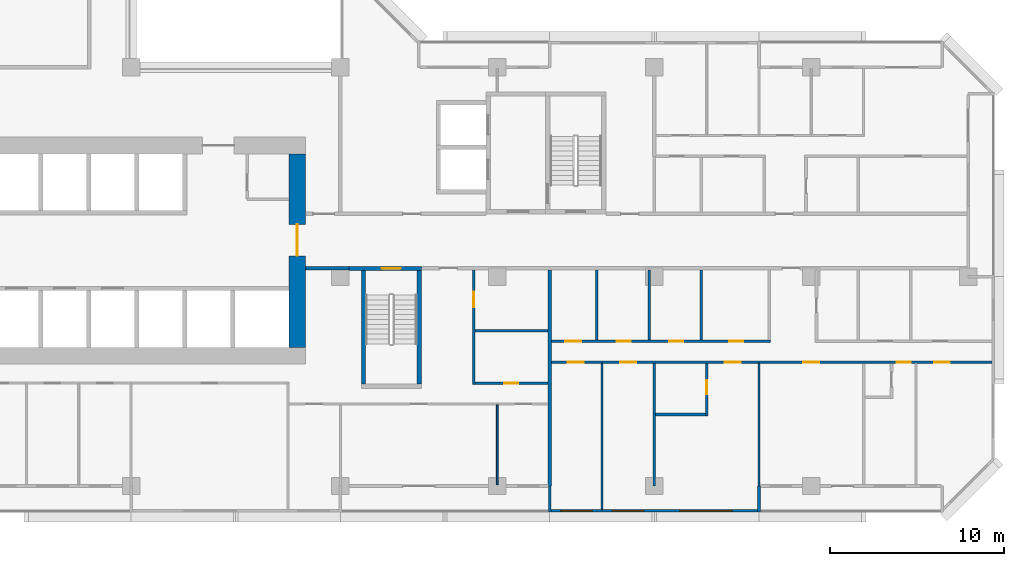
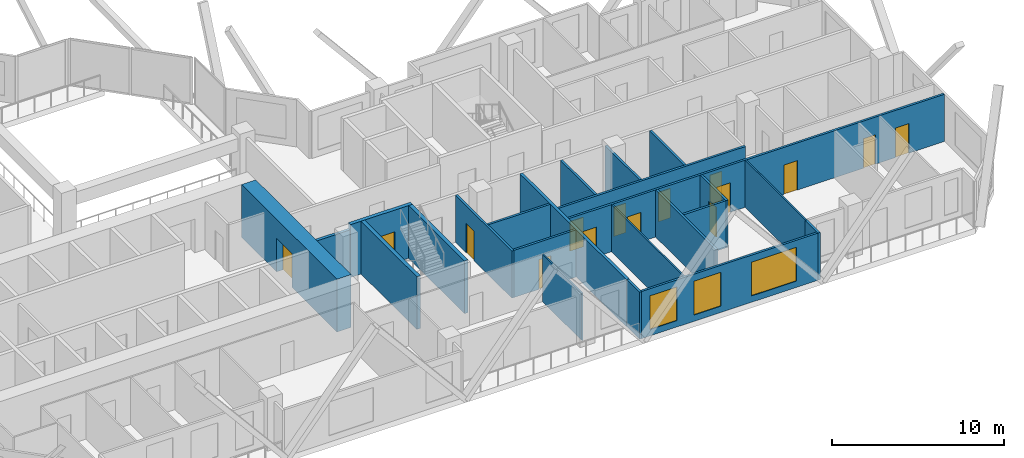
# One storey, part 6 of 15: 23 walls, 15 doors, 3 windows, 18 openings.
"""IFC4 building model written with IfcOpenShell, lengths in metres."""

from ifc_helpers import new_model, si_unit, direction, frame, frame_2d, origin, place, context, subcontext, project, spatial, rectangle, extrude, material, layer, layer_set, type_object, element, fill, save


model = new_model("IFC4")

# Units and contexts
model_context = context("Model", 3, precision=1e-05, world=origin(), true_north=direction((0.0, 1.0)))
body_context = subcontext(model_context, "Body", "Model", "MODEL_VIEW")
ifc_project = project(units=[si_unit("LENGTHUNIT", "METRE"), si_unit("AREAUNIT", "SQUARE_METRE"), si_unit("VOLUMEUNIT", "CUBIC_METRE"), si_unit("PLANEANGLEUNIT", "RADIAN"), si_unit("MASSUNIT", "GRAM", prefix="KILO")], contexts=[model_context])

# Site, building, storey
site_placement = place(None, origin())
site = spatial("IfcSite", under=ifc_project, at=site_placement, CompositionType="ELEMENT")
building_placement = place(site_placement, origin())
building = spatial("IfcBuilding", under=site, at=building_placement, Name="Chenar Terraces", CompositionType="ELEMENT")
storey_placement = place(building_placement, frame((0.0, 0.0, 114.39990234375)))
storey = spatial("IfcBuildingStorey", under=building, at=storey_placement, Name="L26", CompositionType="ELEMENT", Elevation=114.39990234375)

# Wall, opening, door
ifc_material_1 = material(Name="Concrete C70/85", Category="concrete")
ifc_layer_1 = layer(ifc_material_1, 0.25)
ifc_layer_set_1 = layer_set([ifc_layer_1], Name="Concrete C70/85")
wall_type_1 = type_object("IfcWallType", Name="Core wall 250 Concrete C70/85", PredefinedType="SHEAR", material=ifc_layer_set_1)
wall_1_placement = place(storey_placement, frame((36.5, 12.47509765625, 0.0), z_axis=(0.0, 0.0, 1.0), x_axis=(1.0, 0.0, 0.0)))
wall_1 = element("IfcWall", 1, at=wall_1_placement, inside=storey, type_object=wall_type_1, Name="Core wall ST2_N L26", PredefinedType="SHEAR", context=body_context, shape_type="SweptSolid", body=[
    extrude(rectangle(XDim=4.14990234375, YDim=0.25, at=frame_2d((2.074951171875, 0.0))), origin(), (0.0, 0.0, 1.0), 3.75),
])
opening_1_placement = place(wall_1_placement, frame((1.875, 0.0, 0.0)))
opening_1 = element("IfcOpeningElement", 2, at=opening_1_placement, cuts=wall_1, Name="Opening DL26-C7", PredefinedType="OPENING", context=body_context, shape_type="SweptSolid", body=[
    extrude(rectangle(XDim=1.10009765625, YDim=2.199951171875, at=frame_2d((0.550048828125, 1.10009765625))), frame((0.0, 0.135009765625, 0.0), z_axis=(0.0, -1.0, 0.0), x_axis=(1.0, 0.0, 0.0)), (0.0, 0.0, 1.0), 0.27001953125),
])
ifc_material_2 = material(Name="Steel-framed fire-resisting door leaf", Category="steel")
door_type_1 = type_object("IfcDoorType", Name="Stair fire door FD60 1100 x 2200", OperationType="SINGLE_SWING_LEFT", PredefinedType="DOOR", material=ifc_material_2)
door_1_placement = place(opening_1_placement, frame((1.10009765625, 0.0, 0.0), z_axis=(0.0, 0.0, 1.0), x_axis=(-1.0, 0.0, 0.0)))
door_1 = element("IfcDoor", 3, at=door_1_placement, inside=storey, type_object=door_type_1, Name="Stair door DL26-C7", OperationType="SINGLE_SWING_RIGHT", OverallHeight=2.199951171875, OverallWidth=1.10009765625, PredefinedType="DOOR", context=body_context, shape_type="SweptSolid", body=[
    extrude(rectangle(XDim=1.10009765625, YDim=2.199951171875, at=frame_2d((0.550048828125, 1.10009765625))), frame((0.0, 0.02490234375, 0.0), z_axis=(0.0, -1.0, 0.0), x_axis=(1.0, 0.0, 0.0)), (0.0, 0.0, 1.0), 0.050048828125),
])
fill(opening_1, door_1)

# Walls
for number, where, z_axis, x_axis, name in (
    (4, (37.324951171875, 5.85009765625, 0.0), (0.0, 0.0, 1.0), (0.0, 1.0, 0.0), "Core wall ST2_W L26"),
    (5, (40.52490234375, 5.85009765625, 0.0), (0.0, 0.0, 1.0), (0.0, 1.0, 0.0), "Core wall ST2_E L26"),
):
    element("IfcWall", number, at=place(storey_placement, frame(where, z_axis=z_axis, x_axis=x_axis)), inside=storey, type_object=wall_type_1, Name=name, PredefinedType="SHEAR", context=body_context, shape_type="SweptSolid", body=[
        extrude(rectangle(XDim=6.5, YDim=0.25, at=frame_2d((3.25, 0.0))), origin(), (0.0, 0.0, 1.0), 3.75),
    ])

# Wall, opening, door
ifc_material_3 = material(Name="Concrete C70/85", Category="concrete")
ifc_layer_2 = layer(ifc_material_3, 0.949951171875)
ifc_layer_set_2 = layer_set([ifc_layer_2], Name="Concrete C70/85")
wall_type_2 = type_object("IfcWallType", Name="Core wall 950 Concrete C70/85", PredefinedType="SHEAR", material=ifc_layer_set_2)
wall_2_placement = place(storey_placement, frame((33.52490234375, 7.949951171875, 0.0), z_axis=(0.0, 0.0, 1.0), x_axis=(0.0, 1.0, 0.0)))
wall_2 = element("IfcWall", 6, at=wall_2_placement, inside=storey, type_object=wall_type_2, Name="Core wall E L26", PredefinedType="SHEAR", context=body_context, shape_type="SweptSolid", body=[
    extrude(rectangle(XDim=11.10009765625, YDim=0.949951171875, at=frame_2d((5.550048828125, 0.0))), origin(), (0.0, 0.0, 1.0), 3.75),
])
opening_2_placement = place(wall_2_placement, frame((5.25, 0.0, 0.0)))
opening_2 = element("IfcOpeningElement", 7, at=opening_2_placement, cuts=wall_2, Name="Opening DL26-C1", PredefinedType="OPENING", context=body_context, shape_type="SweptSolid", body=[
    extrude(rectangle(XDim=1.800048828125, YDim=2.39990234375, at=frame_2d((0.89990234375, 1.199951171875))), frame((0.0, 0.48486328125, 0.0), z_axis=(0.0, -1.0, 0.0), x_axis=(1.0, 0.0, 0.0)), (0.0, 0.0, 1.0), 0.969970703125),
])
ifc_material_4 = material(Name="Steel-framed fire-resisting door leaf", Category="steel")
door_type_2 = type_object("IfcDoorType", Name="Core entrance double fire door FD60 1800 x 2400", OperationType="DOUBLE_DOOR_SINGLE_SWING", PredefinedType="DOOR", material=ifc_material_4)
door_2_placement = place(opening_2_placement, origin())
door_2 = element("IfcDoor", 8, at=door_2_placement, inside=storey, type_object=door_type_2, Name="Core door DL26-C1", OperationType="DOUBLE_DOOR_SINGLE_SWING", OverallHeight=2.39990234375, OverallWidth=1.800048828125, PredefinedType="DOOR", context=body_context, shape_type="SweptSolid", body=[
    extrude(rectangle(XDim=1.800048828125, YDim=2.39990234375, at=frame_2d((0.89990234375, 1.199951171875))), frame((0.0, 0.02490234375, 0.0), z_axis=(0.0, -1.0, 0.0), x_axis=(1.0, 0.0, 0.0)), (0.0, 0.0, 1.0), 0.050048828125),
])
fill(opening_2, door_2)

# Wall
ifc_material_5 = material(Name="Gypsum board on steel studs with fire boards", Category="steel")
ifc_layer_3 = layer(ifc_material_5, 0.199951171875)
ifc_layer_set_3 = layer_set([ifc_layer_3], Name="Gypsum board on steel studs with fire boards")
wall_type_3 = type_object("IfcWallType", Name="Corridor wall 200", PredefinedType="PARTITIONING", material=ifc_layer_set_3)
wall_3_placement = place(storey_placement, frame((34.0, 12.5, 0.0), z_axis=(0.0, 0.0, 1.0), x_axis=(1.0, 0.0, 0.0)))
element("IfcWall", 9, at=wall_3_placement, inside=storey, type_object=wall_type_3, Name="Partition L26-060", PredefinedType="PARTITIONING", context=body_context, shape_type="SweptSolid", body=[
    extrude(rectangle(XDim=2.5009765625, YDim=0.199951171875, at=frame_2d((1.25048828125, 0.0))), origin(), (0.0, 0.0, 1.0), 3.35009765625),
])

# Wall, openings, windows
ifc_material_6 = material(Name="Aluminium framed glazing", Category="aluminium")
ifc_layer_4 = layer(ifc_material_6, 0.14990234375)
ifc_layer_set_4 = layer_set([ifc_layer_4], Name="Aluminium framed glazing")
wall_type_4 = type_object("IfcWallType", Name="Glazed flush facade wall 150", PredefinedType="SOLIDWALL", material=ifc_layer_set_4)
wall_4_placement = place(storey_placement, frame((48.074951171875, -1.425048828125, 0.0), z_axis=(0.0, 0.0, 1.0), x_axis=(1.0, 0.0, 0.0)))
wall_4 = element("IfcWall", 10, at=wall_4_placement, inside=storey, type_object=wall_type_4, Name="Glazed flush facade wall", PredefinedType="SOLIDWALL", context=body_context, shape_type="SweptSolid", body=[
    extrude(rectangle(XDim=11.85009765625, YDim=0.14990234375, at=frame_2d((5.925048828125, 0.0))), origin(), (0.0, 0.0, 1.0), 3.35009765625),
])
opening_3_placement = place(wall_4_placement, frame((0.5625, 0.0, 0.449951171875)))
opening_3 = element("IfcOpeningElement", 11, at=opening_3_placement, cuts=wall_4, Name="Opening W180x240", PredefinedType="OPENING", context=body_context, shape_type="SweptSolid", body=[
    extrude(rectangle(XDim=1.800048828125, YDim=2.39990234375, at=frame_2d((0.89990234375, 1.199951171875))), frame((0.0, 0.0849609375, 0.0), z_axis=(0.0, -1.0, 0.0), x_axis=(1.0, 0.0, 0.0)), (0.0, 0.0, 1.0), 0.169921875),
])
opening_4_placement = place(wall_4_placement, frame((3.52490234375, 0.0, 0.449951171875)))
opening_4 = element("IfcOpeningElement", 12, at=opening_4_placement, cuts=wall_4, Name="Opening W180x240", PredefinedType="OPENING", context=body_context, shape_type="SweptSolid", body=[
    extrude(rectangle(XDim=1.800048828125, YDim=2.39990234375, at=frame_2d((0.89990234375, 1.199951171875))), frame((0.0, 0.0849609375, 0.0), z_axis=(0.0, -1.0, 0.0), x_axis=(1.0, 0.0, 0.0)), (0.0, 0.0, 1.0), 0.169921875),
])
opening_5_placement = place(wall_4_placement, frame((7.387451171875, 0.0, 0.449951171875)))
opening_5 = element("IfcOpeningElement", 13, at=opening_5_placement, cuts=wall_4, Name="Opening W300x240", PredefinedType="OPENING", context=body_context, shape_type="SweptSolid", body=[
    extrude(rectangle(XDim=3.0, YDim=2.39990234375, at=frame_2d((1.5, 1.199951171875))), frame((0.0, 0.0849609375, 0.0), z_axis=(0.0, -1.0, 0.0), x_axis=(1.0, 0.0, 0.0)), (0.0, 0.0, 1.0), 0.169921875),
])
ifc_material_7 = material(Name="Low emissivity double glazing, aluminium frame", Category="aluminium")
window_type_1 = type_object("IfcWindowType", Name="Fixed light 1800 x 2400", PartitioningType="SINGLE_PANEL", PredefinedType="WINDOW", material=ifc_material_7)
window_1_placement = place(opening_3_placement, origin())
window_1 = element("IfcWindow", 14, at=window_1_placement, inside=storey, type_object=window_type_1, Name="Window", OverallHeight=2.39990234375, OverallWidth=1.800048828125, PartitioningType="SINGLE_PANEL", PredefinedType="WINDOW", context=body_context, shape_type="SweptSolid", body=[
    extrude(rectangle(XDim=1.800048828125, YDim=2.39990234375, at=frame_2d((0.89990234375, 1.199951171875))), frame((0.0, 0.030029296875, 0.0), z_axis=(0.0, -1.0, 0.0), x_axis=(1.0, 0.0, 0.0)), (0.0, 0.0, 1.0), 0.06005859375),
])
fill(opening_3, window_1)
window_2_placement = place(opening_4_placement, origin())
window_2 = element("IfcWindow", 15, at=window_2_placement, inside=storey, type_object=window_type_1, Name="Window", OverallHeight=2.39990234375, OverallWidth=1.800048828125, PartitioningType="SINGLE_PANEL", PredefinedType="WINDOW", context=body_context, shape_type="SweptSolid", body=[
    extrude(rectangle(XDim=1.800048828125, YDim=2.39990234375, at=frame_2d((0.89990234375, 1.199951171875))), frame((0.0, 0.030029296875, 0.0), z_axis=(0.0, -1.0, 0.0), x_axis=(1.0, 0.0, 0.0)), (0.0, 0.0, 1.0), 0.06005859375),
])
fill(opening_4, window_2)
ifc_material_8 = material(Name="Low emissivity double glazing, aluminium frame", Category="aluminium")
window_type_2 = type_object("IfcWindowType", Name="Fixed light 3000 x 2400", PartitioningType="SINGLE_PANEL", PredefinedType="WINDOW", material=ifc_material_8)
window_3_placement = place(opening_5_placement, origin())
window_3 = element("IfcWindow", 16, at=window_3_placement, inside=storey, type_object=window_type_2, Name="Window", OverallHeight=2.39990234375, OverallWidth=3.0, PartitioningType="SINGLE_PANEL", PredefinedType="WINDOW", context=body_context, shape_type="SweptSolid", body=[
    extrude(rectangle(XDim=3.0, YDim=2.39990234375, at=frame_2d((1.5, 1.199951171875))), frame((0.0, 0.030029296875, 0.0), z_axis=(0.0, -1.0, 0.0), x_axis=(1.0, 0.0, 0.0)), (0.0, 0.0, 1.0), 0.06005859375),
])
fill(opening_5, window_3)

# Walls
ifc_material_9 = material(Name="Gypsum board on steel studs", Category="steel")
ifc_layer_5 = layer(ifc_material_9, 0.10009765625)
ifc_layer_set_5 = layer_set([ifc_layer_5], Name="Gypsum board on steel studs")
wall_type_5 = type_object("IfcWallType", Name="Gypsum partition 100", PredefinedType="PARTITIONING", material=ifc_layer_set_5)
wall_5_placement = place(storey_placement, frame((45.0, 0.073974609375, 0.0), z_axis=(0.0, 0.0, 1.0), x_axis=(0.0, 1.0, 0.0)))
element("IfcWall", 17, at=wall_5_placement, inside=storey, type_object=wall_type_5, Name="Partition L26-068", PredefinedType="PARTITIONING", context=body_context, shape_type="SweptSolid", body=[
    extrude(rectangle(XDim=4.575927734375, YDim=0.10009765625, at=frame_2d((2.2880859375, 0.0))), origin(), (0.0, 0.0, 1.0), 3.35009765625),
])
wall_6_placement = place(storey_placement, frame((51.0, -1.35009765625, 0.0), z_axis=(0.0, 0.0, 1.0), x_axis=(0.0, 1.0, 0.0)))
element("IfcWall", 18, at=wall_6_placement, inside=storey, type_object=wall_type_5, Name="Partition L26-074", PredefinedType="PARTITIONING", context=body_context, shape_type="SweptSolid", body=[
    extrude(rectangle(XDim=8.375, YDim=0.10009765625, at=frame_2d((4.1875, 0.0))), origin(), (0.0, 0.0, 1.0), 3.35009765625),
])
wall_7_placement = place(storey_placement, frame((60.0, 0.0, 0.0), z_axis=(0.0, 0.0, 1.0), x_axis=(0.0, 1.0, 0.0)))
element("IfcWall", 19, at=wall_7_placement, inside=storey, type_object=wall_type_5, Name="Partition L26-087", PredefinedType="PARTITIONING", context=body_context, shape_type="SweptSolid", body=[
    extrude(rectangle(XDim=7.02490234375, YDim=0.10009765625, at=frame_2d((3.512451171875, 0.0))), origin(), (0.0, 0.0, 1.0), 3.35009765625),
])
ifc_material_10 = material(Name="Terracotta cladding on insulated backing", Category="masonry")
ifc_layer_6 = layer(ifc_material_10, 0.14990234375)
ifc_layer_set_6 = layer_set([ifc_layer_6], Name="Terracotta cladding on insulated backing")
wall_type_6 = type_object("IfcWallType", Name="Loggia return wall 150", PredefinedType="SOLIDWALL", material=ifc_layer_set_6)
for number, where, z_axis, x_axis, name in (
    (20, (48.0, -1.5, 0.0), (0.0, 0.0, 1.0), (0.0, 1.0, 0.0), "Loggia return wall"),
    (21, (60.0, -1.5, 0.0), (0.0, 0.0, 1.0), (0.0, 1.0, 0.0), "Loggia return wall"),
):
    element("IfcWall", number, at=place(storey_placement, frame(where, z_axis=z_axis, x_axis=x_axis)), inside=storey, type_object=wall_type_6, Name=name, PredefinedType="SOLIDWALL", context=body_context, shape_type="SweptSolid", body=[
        extrude(rectangle(XDim=1.5, YDim=0.14990234375, at=frame_2d((0.75, 0.0))), origin(), (0.0, 0.0, 1.0), 3.35009765625),
    ])
ifc_material_11 = material(Name="Twin gypsum board on steel studs with mineral wool", Category="steel")
ifc_layer_7 = layer(ifc_material_11, 0.199951171875)
ifc_layer_set_7 = layer_set([ifc_layer_7], Name="Twin gypsum board on steel studs with mineral wool")
wall_type_7 = type_object("IfcWallType", Name="Unit demising wall 200", PredefinedType="PARTITIONING", material=ifc_layer_set_7)
wall_8_placement = place(storey_placement, frame((48.0, 0.0, 0.0), z_axis=(0.0, 0.0, 1.0), x_axis=(0.0, 1.0, 0.0)))
element("IfcWall", 22, at=wall_8_placement, inside=storey, type_object=wall_type_7, Name="Partition L26-070", PredefinedType="PARTITIONING", context=body_context, shape_type="SweptSolid", body=[
    extrude(rectangle(XDim=12.39990234375, YDim=0.199951171875, at=frame_2d((6.199951171875, 0.0))), origin(), (0.0, 0.0, 1.0), 3.35009765625),
])

# Wall, opening, door
ifc_material_12 = material(Name="Moisture-resistant gypsum board on steel studs", Category="steel")
ifc_layer_8 = layer(ifc_material_12, 0.14990234375)
ifc_layer_set_8 = layer_set([ifc_layer_8], Name="Moisture-resistant gypsum board on steel studs")
wall_type_8 = type_object("IfcWallType", Name="Wet-room partition 150", PredefinedType="PARTITIONING", material=ifc_layer_set_8)
wall_9_placement = place(storey_placement, frame((43.64990234375, 5.824951171875, 0.0), z_axis=(0.0, 0.0, 1.0), x_axis=(0.0, 1.0, 0.0)))
wall_9 = element("IfcWall", 23, at=wall_9_placement, inside=storey, type_object=wall_type_8, Name="Partition L26-065", PredefinedType="PARTITIONING", context=body_context, shape_type="SweptSolid", body=[
    extrude(rectangle(XDim=6.574951171875, YDim=0.14990234375, at=frame_2d((3.28759765625, 0.0))), origin(), (0.0, 0.0, 1.0), 3.35009765625),
])
opening_6_placement = place(wall_9_placement, frame((4.425048828125, 0.0, 0.0)))
opening_6 = element("IfcOpeningElement", 24, at=opening_6_placement, cuts=wall_9, Name="Opening DL26-67", PredefinedType="OPENING", context=body_context, shape_type="SweptSolid", body=[
    extrude(rectangle(XDim=0.89990234375, YDim=2.10009765625, at=frame_2d((0.449951171875, 1.050048828125))), frame((0.0, 0.0849609375, 0.0), z_axis=(0.0, -1.0, 0.0), x_axis=(1.0, 0.0, 0.0)), (0.0, 0.0, 1.0), 0.169921875),
])
ifc_material_13 = material(Name="Veneered timber door leaf", Category="wood")
door_type_3 = type_object("IfcDoorType", Name="Door 900 x 2100", OperationType="SINGLE_SWING_LEFT", PredefinedType="DOOR", material=ifc_material_13)
door_3_placement = place(opening_6_placement, frame((0.89990234375, 0.0, 0.0), z_axis=(0.0, 0.0, 1.0), x_axis=(-1.0, 0.0, 0.0)))
door_3 = element("IfcDoor", 25, at=door_3_placement, inside=storey, type_object=door_type_3, Name="Door DL26-67", OperationType="SINGLE_SWING_LEFT", OverallHeight=2.10009765625, OverallWidth=0.89990234375, PredefinedType="DOOR", context=body_context, shape_type="SweptSolid", body=[
    extrude(rectangle(XDim=0.89990234375, YDim=2.10009765625, at=frame_2d((0.449951171875, 1.050048828125))), frame((0.0, 0.02490234375, 0.0), z_axis=(0.0, -1.0, 0.0), x_axis=(1.0, 0.0, 0.0)), (0.0, 0.0, 1.0), 0.050048828125),
])
fill(opening_6, door_3)

wall_10_placement = place(storey_placement, frame((43.72509765625, 5.89990234375, 0.0), z_axis=(0.0, 0.0, 1.0), x_axis=(1.0, 0.0, 0.0)))
wall_10 = element("IfcWall", 26, at=wall_10_placement, inside=storey, type_object=wall_type_8, Name="Partition L26-066", PredefinedType="PARTITIONING", context=body_context, shape_type="SweptSolid", body=[
    extrude(rectangle(XDim=4.1748046875, YDim=0.14990234375, at=frame_2d((2.08740234375, 0.0))), origin(), (0.0, 0.0, 1.0), 3.35009765625),
])
opening_7_placement = place(wall_10_placement, frame((1.675048828125, 0.0, 0.0)))
opening_7 = element("IfcOpeningElement", 27, at=opening_7_placement, cuts=wall_10, Name="Opening DL26-57", PredefinedType="OPENING", context=body_context, shape_type="SweptSolid", body=[
    extrude(rectangle(XDim=0.800048828125, YDim=2.10009765625, at=frame_2d((0.39990234375, 1.050048828125))), frame((0.0, 0.0849609375, 0.0), z_axis=(0.0, -1.0, 0.0), x_axis=(1.0, 0.0, 0.0)), (0.0, 0.0, 1.0), 0.169921875),
])
ifc_material_14 = material(Name="Veneered timber door leaf", Category="wood")
door_type_4 = type_object("IfcDoorType", Name="Door 800 x 2100", OperationType="SINGLE_SWING_LEFT", PredefinedType="DOOR", material=ifc_material_14)
door_4_placement = place(opening_7_placement, origin())
door_4 = element("IfcDoor", 28, at=door_4_placement, inside=storey, type_object=door_type_4, Name="Door DL26-57", OperationType="SINGLE_SWING_LEFT", OverallHeight=2.10009765625, OverallWidth=0.800048828125, PredefinedType="DOOR", context=body_context, shape_type="SweptSolid", body=[
    extrude(rectangle(XDim=0.800048828125, YDim=2.10009765625, at=frame_2d((0.39990234375, 1.050048828125))), frame((0.0, 0.02490234375, 0.0), z_axis=(0.0, -1.0, 0.0), x_axis=(1.0, 0.0, 0.0)), (0.0, 0.0, 1.0), 0.050048828125),
])
fill(opening_7, door_4)

# Wall
wall_11_placement = place(storey_placement, frame((43.72509765625, 8.89990234375, 0.0), z_axis=(0.0, 0.0, 1.0), x_axis=(1.0, 0.0, 0.0)))
element("IfcWall", 29, at=wall_11_placement, inside=storey, type_object=wall_type_8, Name="Partition L26-067", PredefinedType="PARTITIONING", context=body_context, shape_type="SweptSolid", body=[
    extrude(rectangle(XDim=4.1748046875, YDim=0.14990234375, at=frame_2d((2.08740234375, 0.0))), origin(), (0.0, 0.0, 1.0), 3.35009765625),
])

# Wall, openings, doors
wall_12_placement = place(storey_placement, frame((48.10009765625, 7.10009765625, 0.0), z_axis=(0.0, 0.0, 1.0), x_axis=(1.0, 0.0, 0.0)))
wall_12 = element("IfcWall", 30, at=wall_12_placement, inside=storey, type_object=wall_type_8, Name="Partition L26-071", PredefinedType="PARTITIONING", context=body_context, shape_type="SweptSolid", body=[
    extrude(rectangle(XDim=25.25, YDim=0.14990234375, at=frame_2d((12.625, 0.0))), origin(), (0.0, 0.0, 1.0), 3.35009765625),
])
opening_8_placement = place(wall_12_placement, frame((0.949951171875, 0.0, 0.0)))
opening_8 = element("IfcOpeningElement", 31, at=opening_8_placement, cuts=wall_12, Name="Opening DL26-14", PredefinedType="OPENING", context=body_context, shape_type="SweptSolid", body=[
    extrude(rectangle(XDim=0.89990234375, YDim=2.10009765625, at=frame_2d((0.449951171875, 1.050048828125))), frame((0.0, 0.0849609375, 0.0), z_axis=(0.0, -1.0, 0.0), x_axis=(1.0, 0.0, 0.0)), (0.0, 0.0, 1.0), 0.169921875),
])
opening_9_placement = place(wall_12_placement, frame((21.949951171875, 0.0, 0.0)))
opening_9 = element("IfcOpeningElement", 32, at=opening_9_placement, cuts=wall_12, Name="Opening DL26-15", PredefinedType="OPENING", context=body_context, shape_type="SweptSolid", body=[
    extrude(rectangle(XDim=0.89990234375, YDim=2.10009765625, at=frame_2d((0.449951171875, 1.050048828125))), frame((0.0, 0.0849609375, 0.0), z_axis=(0.0, -1.0, 0.0), x_axis=(1.0, 0.0, 0.0)), (0.0, 0.0, 1.0), 0.169921875),
])
opening_10_placement = place(wall_12_placement, frame((9.949951171875, 0.0, 0.0)))
opening_10 = element("IfcOpeningElement", 33, at=opening_10_placement, cuts=wall_12, Name="Opening DL26-16", PredefinedType="OPENING", context=body_context, shape_type="SweptSolid", body=[
    extrude(rectangle(XDim=0.89990234375, YDim=2.10009765625, at=frame_2d((0.449951171875, 1.050048828125))), frame((0.0, 0.0849609375, 0.0), z_axis=(0.0, -1.0, 0.0), x_axis=(1.0, 0.0, 0.0)), (0.0, 0.0, 1.0), 0.169921875),
])
opening_11_placement = place(wall_12_placement, frame((14.449951171875, 0.0, 0.0)))
opening_11 = element("IfcOpeningElement", 34, at=opening_11_placement, cuts=wall_12, Name="Opening DL26-24", PredefinedType="OPENING", context=body_context, shape_type="SweptSolid", body=[
    extrude(rectangle(XDim=0.89990234375, YDim=2.10009765625, at=frame_2d((0.449951171875, 1.050048828125))), frame((0.0, 0.0849609375, 0.0), z_axis=(0.0, -1.0, 0.0), x_axis=(1.0, 0.0, 0.0)), (0.0, 0.0, 1.0), 0.169921875),
])
opening_12_placement = place(wall_12_placement, frame((19.800048828125, 0.0, 0.0)))
opening_12 = element("IfcOpeningElement", 35, at=opening_12_placement, cuts=wall_12, Name="Opening DL26-25", PredefinedType="OPENING", context=body_context, shape_type="SweptSolid", body=[
    extrude(rectangle(XDim=0.800048828125, YDim=2.10009765625, at=frame_2d((0.39990234375, 1.050048828125))), frame((0.0, 0.0849609375, 0.0), z_axis=(0.0, -1.0, 0.0), x_axis=(1.0, 0.0, 0.0)), (0.0, 0.0, 1.0), 0.169921875),
])
opening_13_placement = place(wall_12_placement, frame((3.949951171875, 0.0, 0.0)))
opening_13 = element("IfcOpeningElement", 36, at=opening_13_placement, cuts=wall_12, Name="Opening DL26-27", PredefinedType="OPENING", context=body_context, shape_type="SweptSolid", body=[
    extrude(rectangle(XDim=0.89990234375, YDim=2.10009765625, at=frame_2d((0.449951171875, 1.050048828125))), frame((0.0, 0.0849609375, 0.0), z_axis=(0.0, -1.0, 0.0), x_axis=(1.0, 0.0, 0.0)), (0.0, 0.0, 1.0), 0.169921875),
])
door_5_placement = place(opening_12_placement, frame((0.800048828125, 0.0, 0.0), z_axis=(0.0, 0.0, 1.0), x_axis=(-1.0, 0.0, 0.0)))
door_5 = element("IfcDoor", 37, at=door_5_placement, inside=storey, type_object=door_type_4, Name="Door DL26-25", OperationType="SINGLE_SWING_LEFT", OverallHeight=2.10009765625, OverallWidth=0.800048828125, PredefinedType="DOOR", context=body_context, shape_type="SweptSolid", body=[
    extrude(rectangle(XDim=0.800048828125, YDim=2.10009765625, at=frame_2d((0.39990234375, 1.050048828125))), frame((0.0, 0.02490234375, 0.0), z_axis=(0.0, -1.0, 0.0), x_axis=(1.0, 0.0, 0.0)), (0.0, 0.0, 1.0), 0.050048828125),
])
fill(opening_12, door_5)
door_6_placement = place(opening_8_placement, frame((0.89990234375, 0.0, 0.0), z_axis=(0.0, 0.0, 1.0), x_axis=(-1.0, 0.0, 0.0)))
door_6 = element("IfcDoor", 38, at=door_6_placement, inside=storey, type_object=door_type_3, Name="Door DL26-14", OperationType="SINGLE_SWING_LEFT", OverallHeight=2.10009765625, OverallWidth=0.89990234375, PredefinedType="DOOR", context=body_context, shape_type="SweptSolid", body=[
    extrude(rectangle(XDim=0.89990234375, YDim=2.10009765625, at=frame_2d((0.449951171875, 1.050048828125))), frame((0.0, 0.02490234375, 0.0), z_axis=(0.0, -1.0, 0.0), x_axis=(1.0, 0.0, 0.0)), (0.0, 0.0, 1.0), 0.050048828125),
])
fill(opening_8, door_6)
door_7_placement = place(opening_9_placement, frame((0.89990234375, 0.0, 0.0), z_axis=(0.0, 0.0, 1.0), x_axis=(-1.0, 0.0, 0.0)))
door_7 = element("IfcDoor", 39, at=door_7_placement, inside=storey, type_object=door_type_3, Name="Door DL26-15", OperationType="SINGLE_SWING_RIGHT", OverallHeight=2.10009765625, OverallWidth=0.89990234375, PredefinedType="DOOR", context=body_context, shape_type="SweptSolid", body=[
    extrude(rectangle(XDim=0.89990234375, YDim=2.10009765625, at=frame_2d((0.449951171875, 1.050048828125))), frame((0.0, 0.02490234375, 0.0), z_axis=(0.0, -1.0, 0.0), x_axis=(1.0, 0.0, 0.0)), (0.0, 0.0, 1.0), 0.050048828125),
])
fill(opening_9, door_7)
door_8_placement = place(opening_10_placement, origin())
door_8 = element("IfcDoor", 40, at=door_8_placement, inside=storey, type_object=door_type_3, Name="Door DL26-16", OperationType="SINGLE_SWING_RIGHT", OverallHeight=2.10009765625, OverallWidth=0.89990234375, PredefinedType="DOOR", context=body_context, shape_type="SweptSolid", body=[
    extrude(rectangle(XDim=0.89990234375, YDim=2.10009765625, at=frame_2d((0.449951171875, 1.050048828125))), frame((0.0, 0.02490234375, 0.0), z_axis=(0.0, -1.0, 0.0), x_axis=(1.0, 0.0, 0.0)), (0.0, 0.0, 1.0), 0.050048828125),
])
fill(opening_10, door_8)
door_9_placement = place(opening_11_placement, origin())
door_9 = element("IfcDoor", 41, at=door_9_placement, inside=storey, type_object=door_type_3, Name="Door DL26-24", OperationType="SINGLE_SWING_RIGHT", OverallHeight=2.10009765625, OverallWidth=0.89990234375, PredefinedType="DOOR", context=body_context, shape_type="SweptSolid", body=[
    extrude(rectangle(XDim=0.89990234375, YDim=2.10009765625, at=frame_2d((0.449951171875, 1.050048828125))), frame((0.0, 0.02490234375, 0.0), z_axis=(0.0, -1.0, 0.0), x_axis=(1.0, 0.0, 0.0)), (0.0, 0.0, 1.0), 0.050048828125),
])
fill(opening_11, door_9)
door_10_placement = place(opening_13_placement, frame((0.89990234375, 0.0, 0.0), z_axis=(0.0, 0.0, 1.0), x_axis=(-1.0, 0.0, 0.0)))
door_10 = element("IfcDoor", 42, at=door_10_placement, inside=storey, type_object=door_type_3, Name="Door DL26-27", OperationType="SINGLE_SWING_LEFT", OverallHeight=2.10009765625, OverallWidth=0.89990234375, PredefinedType="DOOR", context=body_context, shape_type="SweptSolid", body=[
    extrude(rectangle(XDim=0.89990234375, YDim=2.10009765625, at=frame_2d((0.449951171875, 1.050048828125))), frame((0.0, 0.02490234375, 0.0), z_axis=(0.0, -1.0, 0.0), x_axis=(1.0, 0.0, 0.0)), (0.0, 0.0, 1.0), 0.050048828125),
])
fill(opening_13, door_10)

wall_13_placement = place(storey_placement, frame((48.10009765625, 8.300048828125, 0.0), z_axis=(0.0, 0.0, 1.0), x_axis=(1.0, 0.0, 0.0)))
wall_13 = element("IfcWall", 43, at=wall_13_placement, inside=storey, type_object=wall_type_8, Name="Partition L26-072", PredefinedType="PARTITIONING", context=body_context, shape_type="SweptSolid", body=[
    extrude(rectangle(XDim=12.574951171875, YDim=0.14990234375, at=frame_2d((6.28759765625, 0.0))), origin(), (0.0, 0.0, 1.0), 3.35009765625),
])
opening_14_placement = place(wall_13_placement, frame((3.75, 0.0, 0.0)))
opening_14 = element("IfcOpeningElement", 44, at=opening_14_placement, cuts=wall_13, Name="Opening DL26-13", PredefinedType="OPENING", context=body_context, shape_type="SweptSolid", body=[
    extrude(rectangle(XDim=0.800048828125, YDim=2.10009765625, at=frame_2d((0.39990234375, 1.050048828125))), frame((0.0, 0.0849609375, 0.0), z_axis=(0.0, -1.0, 0.0), x_axis=(1.0, 0.0, 0.0)), (0.0, 0.0, 1.0), 0.169921875),
])
opening_15_placement = place(wall_13_placement, frame((0.800048828125, 0.0, 0.0)))
opening_15 = element("IfcOpeningElement", 45, at=opening_15_placement, cuts=wall_13, Name="Opening DL26-19", PredefinedType="OPENING", context=body_context, shape_type="SweptSolid", body=[
    extrude(rectangle(XDim=0.89990234375, YDim=2.10009765625, at=frame_2d((0.449951171875, 1.050048828125))), frame((0.0, 0.0849609375, 0.0), z_axis=(0.0, -1.0, 0.0), x_axis=(1.0, 0.0, 0.0)), (0.0, 0.0, 1.0), 0.169921875),
])
opening_16_placement = place(wall_13_placement, frame((6.75, 0.0, 0.0)))
opening_16 = element("IfcOpeningElement", 46, at=opening_16_placement, cuts=wall_13, Name="Opening DL26-20", PredefinedType="OPENING", context=body_context, shape_type="SweptSolid", body=[
    extrude(rectangle(XDim=0.800048828125, YDim=2.10009765625, at=frame_2d((0.39990234375, 1.050048828125))), frame((0.0, 0.0849609375, 0.0), z_axis=(0.0, -1.0, 0.0), x_axis=(1.0, 0.0, 0.0)), (0.0, 0.0, 1.0), 0.169921875),
])
opening_17_placement = place(wall_13_placement, frame((10.199951171875, 0.0, 0.0)))
opening_17 = element("IfcOpeningElement", 47, at=opening_17_placement, cuts=wall_13, Name="Opening DL26-21", PredefinedType="OPENING", context=body_context, shape_type="SweptSolid", body=[
    extrude(rectangle(XDim=0.800048828125, YDim=2.10009765625, at=frame_2d((0.39990234375, 1.050048828125))), frame((0.0, 0.0849609375, 0.0), z_axis=(0.0, -1.0, 0.0), x_axis=(1.0, 0.0, 0.0)), (0.0, 0.0, 1.0), 0.169921875),
])
door_11_placement = place(opening_14_placement, origin())
door_11 = element("IfcDoor", 48, at=door_11_placement, inside=storey, type_object=door_type_4, Name="Door DL26-13", OperationType="SINGLE_SWING_RIGHT", OverallHeight=2.10009765625, OverallWidth=0.800048828125, PredefinedType="DOOR", context=body_context, shape_type="SweptSolid", body=[
    extrude(rectangle(XDim=0.800048828125, YDim=2.10009765625, at=frame_2d((0.39990234375, 1.050048828125))), frame((0.0, 0.02490234375, 0.0), z_axis=(0.0, -1.0, 0.0), x_axis=(1.0, 0.0, 0.0)), (0.0, 0.0, 1.0), 0.050048828125),
])
fill(opening_14, door_11)
door_12_placement = place(opening_16_placement, origin())
door_12 = element("IfcDoor", 49, at=door_12_placement, inside=storey, type_object=door_type_4, Name="Door DL26-20", OperationType="SINGLE_SWING_RIGHT", OverallHeight=2.10009765625, OverallWidth=0.800048828125, PredefinedType="DOOR", context=body_context, shape_type="SweptSolid", body=[
    extrude(rectangle(XDim=0.800048828125, YDim=2.10009765625, at=frame_2d((0.39990234375, 1.050048828125))), frame((0.0, 0.02490234375, 0.0), z_axis=(0.0, -1.0, 0.0), x_axis=(1.0, 0.0, 0.0)), (0.0, 0.0, 1.0), 0.050048828125),
])
fill(opening_16, door_12)
door_13_placement = place(opening_17_placement, origin())
door_13 = element("IfcDoor", 50, at=door_13_placement, inside=storey, type_object=door_type_4, Name="Door DL26-21", OperationType="SINGLE_SWING_RIGHT", OverallHeight=2.10009765625, OverallWidth=0.800048828125, PredefinedType="DOOR", context=body_context, shape_type="SweptSolid", body=[
    extrude(rectangle(XDim=0.800048828125, YDim=2.10009765625, at=frame_2d((0.39990234375, 1.050048828125))), frame((0.0, 0.02490234375, 0.0), z_axis=(0.0, -1.0, 0.0), x_axis=(1.0, 0.0, 0.0)), (0.0, 0.0, 1.0), 0.050048828125),
])
fill(opening_17, door_13)
door_14_placement = place(opening_15_placement, origin())
door_14 = element("IfcDoor", 51, at=door_14_placement, inside=storey, type_object=door_type_3, Name="Door DL26-19", OperationType="SINGLE_SWING_RIGHT", OverallHeight=2.10009765625, OverallWidth=0.89990234375, PredefinedType="DOOR", context=body_context, shape_type="SweptSolid", body=[
    extrude(rectangle(XDim=0.89990234375, YDim=2.10009765625, at=frame_2d((0.449951171875, 1.050048828125))), frame((0.0, 0.02490234375, 0.0), z_axis=(0.0, -1.0, 0.0), x_axis=(1.0, 0.0, 0.0)), (0.0, 0.0, 1.0), 0.050048828125),
])
fill(opening_15, door_14)

# Walls
for number, where, z_axis, x_axis, name in (
    (52, (50.699951171875, 8.375, 0.0), (0.0, 0.0, 1.0), (0.0, 1.0, 0.0), "Partition L26-073"),
    (53, (53.699951171875, 8.375, 0.0), (0.0, 0.0, 1.0), (0.0, 1.0, 0.0), "Partition L26-076"),
):
    element("IfcWall", number, at=place(storey_placement, frame(where, z_axis=z_axis, x_axis=x_axis)), inside=storey, type_object=wall_type_8, Name=name, PredefinedType="PARTITIONING", context=body_context, shape_type="SweptSolid", body=[
        extrude(rectangle(XDim=4.02490234375, YDim=0.14990234375, at=frame_2d((2.012451171875, 0.0))), origin(), (0.0, 0.0, 1.0), 3.35009765625),
    ])
wall_14_placement = place(storey_placement, frame((54.0, 0.0, 0.0), z_axis=(0.0, 0.0, 1.0), x_axis=(0.0, 1.0, 0.0)))
element("IfcWall", 54, at=wall_14_placement, inside=storey, type_object=wall_type_8, Name="Partition L26-077", PredefinedType="PARTITIONING", context=body_context, shape_type="SweptSolid", body=[
    extrude(rectangle(XDim=7.02490234375, YDim=0.14990234375, at=frame_2d((3.512451171875, 0.0))), origin(), (0.0, 0.0, 1.0), 3.35009765625),
])
wall_15_placement = place(storey_placement, frame((54.074951171875, 4.10009765625, 0.0), z_axis=(0.0, 0.0, 1.0), x_axis=(1.0, 0.0, 0.0)))
element("IfcWall", 55, at=wall_15_placement, inside=storey, type_object=wall_type_8, Name="Partition L26-080", PredefinedType="PARTITIONING", context=body_context, shape_type="SweptSolid", body=[
    extrude(rectangle(XDim=2.85009765625, YDim=0.14990234375, at=frame_2d((1.425048828125, 0.0))), origin(), (0.0, 0.0, 1.0), 3.35009765625),
])
wall_16_placement = place(storey_placement, frame((56.699951171875, 8.375, 0.0), z_axis=(0.0, 0.0, 1.0), x_axis=(0.0, 1.0, 0.0)))
element("IfcWall", 56, at=wall_16_placement, inside=storey, type_object=wall_type_8, Name="Partition L26-083", PredefinedType="PARTITIONING", context=body_context, shape_type="SweptSolid", body=[
    extrude(rectangle(XDim=4.02490234375, YDim=0.14990234375, at=frame_2d((2.012451171875, 0.0))), origin(), (0.0, 0.0, 1.0), 3.35009765625),
])

# Wall, opening, door
wall_17_placement = place(storey_placement, frame((57.0, 4.02490234375, 0.0), z_axis=(0.0, 0.0, 1.0), x_axis=(0.0, 1.0, 0.0)))
wall_17 = element("IfcWall", 57, at=wall_17_placement, inside=storey, type_object=wall_type_8, Name="Partition L26-085", PredefinedType="PARTITIONING", context=body_context, shape_type="SweptSolid", body=[
    extrude(rectangle(XDim=3.0, YDim=0.14990234375, at=frame_2d((1.5, 0.0))), origin(), (0.0, 0.0, 1.0), 3.35009765625),
])
opening_18_placement = place(wall_17_placement, frame((1.22509765625, 0.0, 0.0)))
opening_18 = element("IfcOpeningElement", 58, at=opening_18_placement, cuts=wall_17, Name="Opening DL26-17", PredefinedType="OPENING", context=body_context, shape_type="SweptSolid", body=[
    extrude(rectangle(XDim=0.800048828125, YDim=2.10009765625, at=frame_2d((0.39990234375, 1.050048828125))), frame((0.0, 0.0849609375, 0.0), z_axis=(0.0, -1.0, 0.0), x_axis=(1.0, 0.0, 0.0)), (0.0, 0.0, 1.0), 0.169921875),
])
door_15_placement = place(opening_18_placement, origin())
door_15 = element("IfcDoor", 59, at=door_15_placement, inside=storey, type_object=door_type_4, Name="Door DL26-17", OperationType="SINGLE_SWING_RIGHT", OverallHeight=2.10009765625, OverallWidth=0.800048828125, PredefinedType="DOOR", context=body_context, shape_type="SweptSolid", body=[
    extrude(rectangle(XDim=0.800048828125, YDim=2.10009765625, at=frame_2d((0.39990234375, 1.050048828125))), frame((0.0, 0.02490234375, 0.0), z_axis=(0.0, -1.0, 0.0), x_axis=(1.0, 0.0, 0.0)), (0.0, 0.0, 1.0), 0.050048828125),
])
fill(opening_18, door_15)

save(model, "model.ifc")
